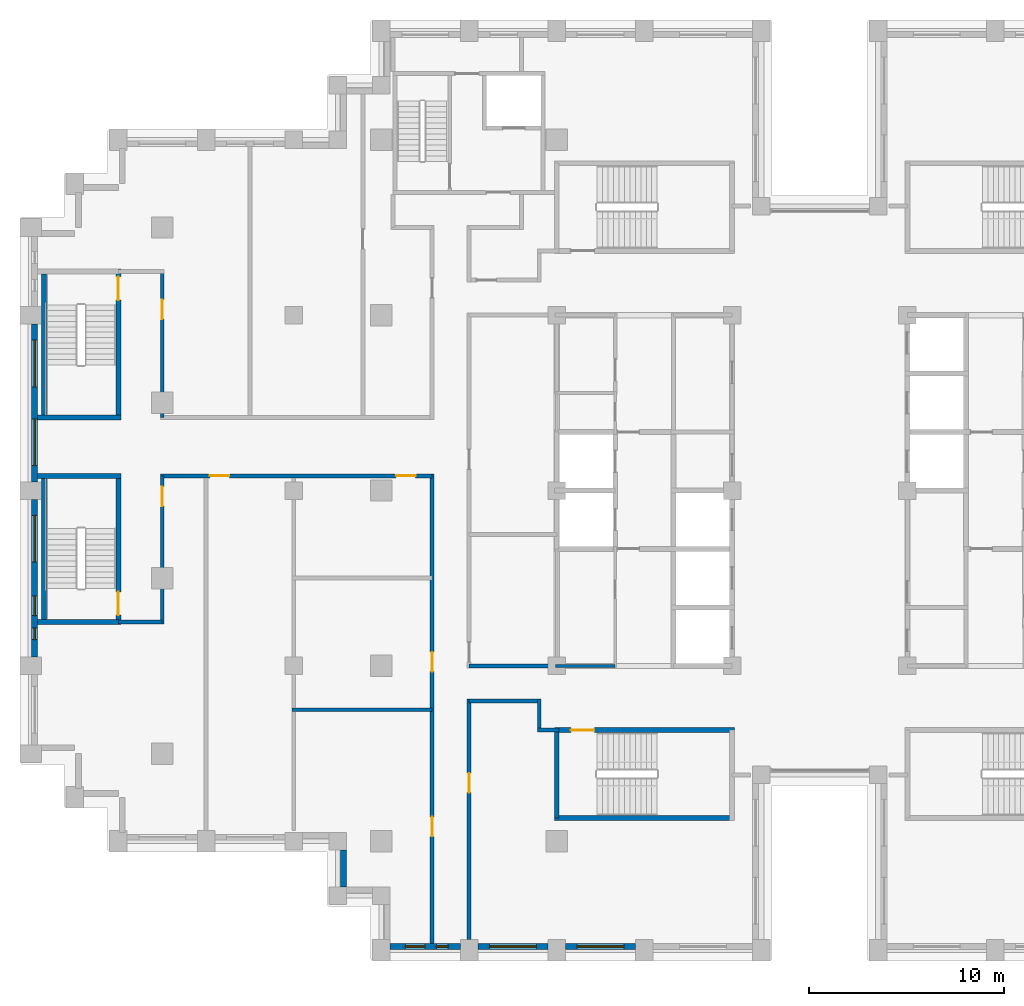
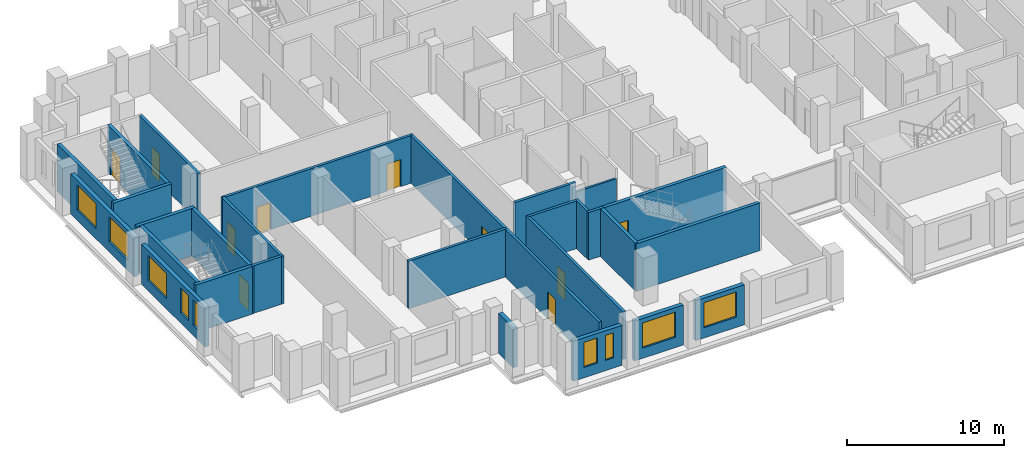
# One storey, part 6 of 16: 28 walls, 10 doors, 9 windows, 19 openings.
"""IFC4 building model written with IfcOpenShell, lengths in metres."""

from ifc_helpers import new_model, si_unit, direction, frame, frame_2d, origin, place, context, subcontext, project, spatial, rectangle, extrude, material, layer, layer_set, type_object, element, fill, save


model = new_model("IFC4")

# Units and contexts
model_context = context("Model", 3, precision=1e-05, world=origin(), true_north=direction((0.0, 1.0)))
body_context = subcontext(model_context, "Body", "Model", "MODEL_VIEW")
ifc_project = project(units=[si_unit("LENGTHUNIT", "METRE"), si_unit("AREAUNIT", "SQUARE_METRE"), si_unit("VOLUMEUNIT", "CUBIC_METRE"), si_unit("PLANEANGLEUNIT", "RADIAN"), si_unit("MASSUNIT", "GRAM", prefix="KILO")], contexts=[model_context])

# Site, building, storey
site_placement = place(None, origin())
site = spatial("IfcSite", under=ifc_project, at=site_placement, CompositionType="ELEMENT")
building_placement = place(site_placement, origin())
building = spatial("IfcBuilding", under=site, at=building_placement, Name="Corbelhall Arena Tower", CompositionType="ELEMENT")
storey_placement = place(building_placement, frame((0.0, 0.0, 158.0)))
storey = spatial("IfcBuildingStorey", under=building, at=storey_placement, Name="L31", CompositionType="ELEMENT", Elevation=158.0)

# Wall, openings, windows
ifc_material_1 = material(Name="Precast concrete C40/50 with granite facing", Category="masonry")
ifc_layer_1 = layer(ifc_material_1, 0.300048828125)
ifc_layer_set_1 = layer_set([ifc_layer_1], Name="EV-IW1 Infill panel 300")
wall_type_1 = type_object("IfcWallType", Name="EV-IW1 Infill panel 300", PredefinedType="SOLIDWALL", material=ifc_layer_set_1)
wall_1_placement = place(storey_placement, frame((-40.300048828125, 8.550048828125, 0.0), z_axis=(0.0, 0.0, 1.0), x_axis=(0.0, -1.0, 0.0)))
wall_1 = element("IfcWall", 1, at=wall_1_placement, inside=storey, type_object=wall_type_1, Name="Infill panel IW1", PredefinedType="SOLIDWALL", context=body_context, shape_type="SweptSolid", body=[
    extrude(rectangle(XDim=8.10009765625, YDim=0.300048828125, at=frame_2d((4.050048828125, 0.0))), origin(), (0.0, 0.0, 1.0), 3.10009765625),
])
opening_1_placement = place(wall_1_placement, frame((0.824951171875, 0.0, 0.800048828125)))
opening_1 = element("IfcOpeningElement", 2, at=opening_1_placement, cuts=wall_1, Name="Opening WN1", PredefinedType="OPENING", context=body_context, shape_type="SweptSolid", body=[
    extrude(rectangle(XDim=2.39990234375, YDim=1.949951171875, at=frame_2d((1.199951171875, 0.97509765625))), frame((0.0, 0.14990234375, 0.0), z_axis=(0.0, -1.0, 0.0), x_axis=(1.0, 0.0, 0.0)), (0.0, 0.0, 1.0), 0.300048828125),
])
opening_2_placement = place(wall_1_placement, frame((4.875, 0.0, 0.800048828125)))
opening_2 = element("IfcOpeningElement", 3, at=opening_2_placement, cuts=wall_1, Name="Opening WN1", PredefinedType="OPENING", context=body_context, shape_type="SweptSolid", body=[
    extrude(rectangle(XDim=2.39990234375, YDim=1.949951171875, at=frame_2d((1.199951171875, 0.97509765625))), frame((0.0, 0.14990234375, 0.0), z_axis=(0.0, -1.0, 0.0), x_axis=(1.0, 0.0, 0.0)), (0.0, 0.0, 1.0), 0.300048828125),
])
ifc_material_2 = material(Name="Aluminium black anodised", Category="aluminium")
window_type_1 = type_object("IfcWindowType", Name="EV-WN1 Office window", PartitioningType="SINGLE_PANEL", PredefinedType="WINDOW", material=ifc_material_2)
window_1_placement = place(opening_1_placement, origin())
window_1 = element("IfcWindow", 4, at=window_1_placement, inside=storey, type_object=window_type_1, Name="Window WN1", OverallHeight=1.949951171875, OverallWidth=2.39990234375, PartitioningType="SINGLE_PANEL", PredefinedType="WINDOW", context=body_context, shape_type="SweptSolid", body=[
    extrude(rectangle(XDim=2.39990234375, YDim=1.949951171875, at=frame_2d((1.199951171875, 0.97509765625))), frame((0.0, 0.030029296875, 0.0), z_axis=(0.0, -1.0, 0.0), x_axis=(1.0, 0.0, 0.0)), (0.0, 0.0, 1.0), 0.06005859375),
])
fill(opening_1, window_1)
window_2_placement = place(opening_2_placement, origin())
window_2 = element("IfcWindow", 5, at=window_2_placement, inside=storey, type_object=window_type_1, Name="Window WN1", OverallHeight=1.949951171875, OverallWidth=2.39990234375, PartitioningType="SINGLE_PANEL", PredefinedType="WINDOW", context=body_context, shape_type="SweptSolid", body=[
    extrude(rectangle(XDim=2.39990234375, YDim=1.949951171875, at=frame_2d((1.199951171875, 0.97509765625))), frame((0.0, 0.030029296875, 0.0), z_axis=(0.0, -1.0, 0.0), x_axis=(1.0, 0.0, 0.0)), (0.0, 0.0, 1.0), 0.06005859375),
])
fill(opening_2, window_2)

wall_2_placement = place(storey_placement, frame((-40.300048828125, -0.449951171875, 0.0), z_axis=(0.0, 0.0, 1.0), x_axis=(0.0, -1.0, 0.0)))
wall_2 = element("IfcWall", 6, at=wall_2_placement, inside=storey, type_object=wall_type_1, Name="Infill panel IW1", PredefinedType="SOLIDWALL", context=body_context, shape_type="SweptSolid", body=[
    extrude(rectangle(XDim=8.10009765625, YDim=0.300048828125, at=frame_2d((4.050048828125, 0.0))), origin(), (0.0, 0.0, 1.0), 3.10009765625),
])
opening_3_placement = place(wall_2_placement, frame((0.824951171875, 0.0, 0.800048828125)))
opening_3 = element("IfcOpeningElement", 7, at=opening_3_placement, cuts=wall_2, Name="Opening WN1", PredefinedType="OPENING", context=body_context, shape_type="SweptSolid", body=[
    extrude(rectangle(XDim=2.39990234375, YDim=1.949951171875, at=frame_2d((1.199951171875, 0.97509765625))), frame((0.0, 0.14990234375, 0.0), z_axis=(0.0, -1.0, 0.0), x_axis=(1.0, 0.0, 0.0)), (0.0, 0.0, 1.0), 0.300048828125),
])
opening_4_placement = place(wall_2_placement, frame((4.97509765625, 0.0, 0.800048828125)))
opening_4 = element("IfcOpeningElement", 8, at=opening_4_placement, cuts=wall_2, Name="Opening WN6", PredefinedType="OPENING", context=body_context, shape_type="SweptSolid", body=[
    extrude(rectangle(XDim=1.0, YDim=1.949951171875, at=frame_2d((0.5, 0.97509765625))), frame((0.0, 0.14990234375, 0.0), z_axis=(0.0, -1.0, 0.0), x_axis=(1.0, 0.0, 0.0)), (0.0, 0.0, 1.0), 0.300048828125),
])
opening_5_placement = place(wall_2_placement, frame((6.60009765625, 0.0, 0.800048828125)))
opening_5 = element("IfcOpeningElement", 9, at=opening_5_placement, cuts=wall_2, Name="Opening WN5", PredefinedType="OPENING", context=body_context, shape_type="SweptSolid", body=[
    extrude(rectangle(XDim=0.60009765625, YDim=1.949951171875, at=frame_2d((0.300048828125, 0.97509765625))), frame((0.0, 0.14990234375, 0.0), z_axis=(0.0, -1.0, 0.0), x_axis=(1.0, 0.0, 0.0)), (0.0, 0.0, 1.0), 0.300048828125),
])
window_3_placement = place(opening_3_placement, origin())
window_3 = element("IfcWindow", 10, at=window_3_placement, inside=storey, type_object=window_type_1, Name="Window WN1", OverallHeight=1.949951171875, OverallWidth=2.39990234375, PartitioningType="SINGLE_PANEL", PredefinedType="WINDOW", context=body_context, shape_type="SweptSolid", body=[
    extrude(rectangle(XDim=2.39990234375, YDim=1.949951171875, at=frame_2d((1.199951171875, 0.97509765625))), frame((0.0, 0.030029296875, 0.0), z_axis=(0.0, -1.0, 0.0), x_axis=(1.0, 0.0, 0.0)), (0.0, 0.0, 1.0), 0.06005859375),
])
fill(opening_3, window_3)
window_type_2 = type_object("IfcWindowType", Name="EV-WN5 Office window 600", PartitioningType="SINGLE_PANEL", PredefinedType="WINDOW", material=ifc_material_2)
window_4_placement = place(opening_5_placement, origin())
window_4 = element("IfcWindow", 11, at=window_4_placement, inside=storey, type_object=window_type_2, Name="Window WN5", OverallHeight=1.949951171875, OverallWidth=0.60009765625, PartitioningType="SINGLE_PANEL", PredefinedType="WINDOW", context=body_context, shape_type="SweptSolid", body=[
    extrude(rectangle(XDim=0.60009765625, YDim=1.949951171875, at=frame_2d((0.300048828125, 0.97509765625))), frame((0.0, 0.030029296875, 0.0), z_axis=(0.0, -1.0, 0.0), x_axis=(1.0, 0.0, 0.0)), (0.0, 0.0, 1.0), 0.06005859375),
])
fill(opening_5, window_4)
window_type_3 = type_object("IfcWindowType", Name="EV-WN6 Office window 1000", PartitioningType="SINGLE_PANEL", PredefinedType="WINDOW", material=ifc_material_2)
window_5_placement = place(opening_4_placement, origin())
window_5 = element("IfcWindow", 12, at=window_5_placement, inside=storey, type_object=window_type_3, Name="Window WN6", OverallHeight=1.949951171875, OverallWidth=1.0, PartitioningType="SINGLE_PANEL", PredefinedType="WINDOW", context=body_context, shape_type="SweptSolid", body=[
    extrude(rectangle(XDim=1.0, YDim=1.949951171875, at=frame_2d((0.5, 0.97509765625))), frame((0.0, 0.030029296875, 0.0), z_axis=(0.0, -1.0, 0.0), x_axis=(1.0, 0.0, 0.0)), (0.0, 0.0, 1.0), 0.06005859375),
])
fill(opening_4, window_5)

# Wall
wall_3_placement = place(storey_placement, frame((-24.449951171875, -18.449951171875, 0.0), z_axis=(0.0, 0.0, 1.0), x_axis=(0.0, -1.0, 0.0)))
element("IfcWall", 13, at=wall_3_placement, inside=storey, type_object=wall_type_1, Name="Infill panel IW1", PredefinedType="SOLIDWALL", context=body_context, shape_type="SweptSolid", body=[
    extrude(rectangle(XDim=1.900146484375, YDim=0.300048828125, at=frame_2d((0.9501953125, 0.0))), origin(), (0.0, 0.0, 1.0), 3.10009765625),
])

# Wall, openings, windows
wall_4_placement = place(storey_placement, frame((-22.050048828125, -23.39990234375, 0.0), z_axis=(0.0, 0.0, 1.0), x_axis=(1.0, 0.0, 0.0)))
wall_4 = element("IfcWall", 14, at=wall_4_placement, inside=storey, type_object=wall_type_1, Name="Infill panel IW1", PredefinedType="SOLIDWALL", context=body_context, shape_type="SweptSolid", body=[
    extrude(rectangle(XDim=3.60009765625, YDim=0.300048828125, at=frame_2d((1.800048828125, 0.0))), origin(), (0.0, 0.0, 1.0), 3.10009765625),
])
opening_6_placement = place(wall_4_placement, frame((0.77490234375, 0.0, 0.800048828125)))
opening_6 = element("IfcOpeningElement", 15, at=opening_6_placement, cuts=wall_4, Name="Opening WN6", PredefinedType="OPENING", context=body_context, shape_type="SweptSolid", body=[
    extrude(rectangle(XDim=1.0, YDim=1.949951171875, at=frame_2d((0.5, 0.97509765625))), frame((0.0, 0.14990234375, 0.0), z_axis=(0.0, -1.0, 0.0), x_axis=(1.0, 0.0, 0.0)), (0.0, 0.0, 1.0), 0.300048828125),
])
opening_7_placement = place(wall_4_placement, frame((2.375, 0.0, 0.800048828125)))
opening_7 = element("IfcOpeningElement", 16, at=opening_7_placement, cuts=wall_4, Name="Opening WN5", PredefinedType="OPENING", context=body_context, shape_type="SweptSolid", body=[
    extrude(rectangle(XDim=0.60009765625, YDim=1.949951171875, at=frame_2d((0.300048828125, 0.97509765625))), frame((0.0, 0.14990234375, 0.0), z_axis=(0.0, -1.0, 0.0), x_axis=(1.0, 0.0, 0.0)), (0.0, 0.0, 1.0), 0.300048828125),
])
window_6_placement = place(opening_7_placement, origin())
window_6 = element("IfcWindow", 17, at=window_6_placement, inside=storey, type_object=window_type_2, Name="Window WN5", OverallHeight=1.949951171875, OverallWidth=0.60009765625, PartitioningType="SINGLE_PANEL", PredefinedType="WINDOW", context=body_context, shape_type="SweptSolid", body=[
    extrude(rectangle(XDim=0.60009765625, YDim=1.949951171875, at=frame_2d((0.300048828125, 0.97509765625))), frame((0.0, 0.030029296875, 0.0), z_axis=(0.0, -1.0, 0.0), x_axis=(1.0, 0.0, 0.0)), (0.0, 0.0, 1.0), 0.06005859375),
])
fill(opening_7, window_6)
window_7_placement = place(opening_6_placement, origin())
window_7 = element("IfcWindow", 18, at=window_7_placement, inside=storey, type_object=window_type_3, Name="Window WN6", OverallHeight=1.949951171875, OverallWidth=1.0, PartitioningType="SINGLE_PANEL", PredefinedType="WINDOW", context=body_context, shape_type="SweptSolid", body=[
    extrude(rectangle(XDim=1.0, YDim=1.949951171875, at=frame_2d((0.5, 0.97509765625))), frame((0.0, 0.030029296875, 0.0), z_axis=(0.0, -1.0, 0.0), x_axis=(1.0, 0.0, 0.0)), (0.0, 0.0, 1.0), 0.06005859375),
])
fill(opening_6, window_7)

# Wall, opening, window
wall_5_placement = place(storey_placement, frame((-17.550048828125, -23.39990234375, 0.0), z_axis=(0.0, 0.0, 1.0), x_axis=(1.0, 0.0, 0.0)))
wall_5 = element("IfcWall", 19, at=wall_5_placement, inside=storey, type_object=wall_type_1, Name="Infill panel IW1", PredefinedType="SOLIDWALL", context=body_context, shape_type="SweptSolid", body=[
    extrude(rectangle(XDim=3.60009765625, YDim=0.300048828125, at=frame_2d((1.800048828125, 0.0))), origin(), (0.0, 0.0, 1.0), 3.10009765625),
])
opening_8_placement = place(wall_5_placement, frame((0.60009765625, 0.0, 0.800048828125)))
opening_8 = element("IfcOpeningElement", 20, at=opening_8_placement, cuts=wall_5, Name="Opening WN1", PredefinedType="OPENING", context=body_context, shape_type="SweptSolid", body=[
    extrude(rectangle(XDim=2.39990234375, YDim=1.949951171875, at=frame_2d((1.199951171875, 0.97509765625))), frame((0.0, 0.14990234375, 0.0), z_axis=(0.0, -1.0, 0.0), x_axis=(1.0, 0.0, 0.0)), (0.0, 0.0, 1.0), 0.300048828125),
])
window_8_placement = place(opening_8_placement, origin())
window_8 = element("IfcWindow", 21, at=window_8_placement, inside=storey, type_object=window_type_1, Name="Window WN1", OverallHeight=1.949951171875, OverallWidth=2.39990234375, PartitioningType="SINGLE_PANEL", PredefinedType="WINDOW", context=body_context, shape_type="SweptSolid", body=[
    extrude(rectangle(XDim=2.39990234375, YDim=1.949951171875, at=frame_2d((1.199951171875, 0.97509765625))), frame((0.0, 0.030029296875, 0.0), z_axis=(0.0, -1.0, 0.0), x_axis=(1.0, 0.0, 0.0)), (0.0, 0.0, 1.0), 0.06005859375),
])
fill(opening_8, window_8)

wall_6_placement = place(storey_placement, frame((-13.050048828125, -23.39990234375, 0.0), z_axis=(0.0, 0.0, 1.0), x_axis=(1.0, 0.0, 0.0)))
wall_6 = element("IfcWall", 22, at=wall_6_placement, inside=storey, type_object=wall_type_1, Name="Infill panel IW1", PredefinedType="SOLIDWALL", context=body_context, shape_type="SweptSolid", body=[
    extrude(rectangle(XDim=3.60009765625, YDim=0.300048828125, at=frame_2d((1.800048828125, 0.0))), origin(), (0.0, 0.0, 1.0), 3.10009765625),
])
opening_9_placement = place(wall_6_placement, frame((0.60009765625, 0.0, 0.800048828125)))
opening_9 = element("IfcOpeningElement", 23, at=opening_9_placement, cuts=wall_6, Name="Opening WN1", PredefinedType="OPENING", context=body_context, shape_type="SweptSolid", body=[
    extrude(rectangle(XDim=2.39990234375, YDim=1.949951171875, at=frame_2d((1.199951171875, 0.97509765625))), frame((0.0, 0.14990234375, 0.0), z_axis=(0.0, -1.0, 0.0), x_axis=(1.0, 0.0, 0.0)), (0.0, 0.0, 1.0), 0.300048828125),
])
window_9_placement = place(opening_9_placement, origin())
window_9 = element("IfcWindow", 24, at=window_9_placement, inside=storey, type_object=window_type_1, Name="Window WN1", OverallHeight=1.949951171875, OverallWidth=2.39990234375, PartitioningType="SINGLE_PANEL", PredefinedType="WINDOW", context=body_context, shape_type="SweptSolid", body=[
    extrude(rectangle(XDim=2.39990234375, YDim=1.949951171875, at=frame_2d((1.199951171875, 0.97509765625))), frame((0.0, 0.030029296875, 0.0), z_axis=(0.0, -1.0, 0.0), x_axis=(1.0, 0.0, 0.0)), (0.0, 0.0, 1.0), 0.06005859375),
])
fill(opening_9, window_9)

# Wall
ifc_material_3 = material(Name="Gypsum board on steel stud, acoustic", Category="steel")
ifc_layer_2 = layer(ifc_material_3, 0.199951171875)
ifc_layer_set_2 = layer_set([ifc_layer_2], Name="IN-W-DM200")
wall_type_2 = type_object("IfcWallType", Name="IN-W-DM200", PredefinedType="PARTITIONING", material=ifc_layer_set_2)
wall_7_placement = place(storey_placement, frame((-33.75, -6.75, 0.0), z_axis=(0.0, 0.0, 1.0), x_axis=(-1.0, 0.0, 0.0)))
element("IfcWall", 25, at=wall_7_placement, inside=storey, type_object=wall_type_2, Name="Partition 003", PredefinedType="PARTITIONING", context=body_context, shape_type="SweptSolid", body=[
    extrude(rectangle(XDim=2.25, YDim=0.199951171875, at=frame_2d((1.125, 0.0))), origin(), (0.0, 0.0, 1.0), 3.699951171875),
])

# Wall, opening, door
wall_8_placement = place(storey_placement, frame((-33.75, 0.75, 0.0), z_axis=(0.0, 0.0, 1.0), x_axis=(0.0, -1.0, 0.0)))
wall_8 = element("IfcWall", 26, at=wall_8_placement, inside=storey, type_object=wall_type_2, Name="Partition 004", PredefinedType="PARTITIONING", context=body_context, shape_type="SweptSolid", body=[
    extrude(rectangle(XDim=7.60009765625, YDim=0.199951171875, at=frame_2d((3.800048828125, 0.0))), origin(), (0.0, 0.0, 1.0), 3.699951171875),
])
opening_10_placement = place(wall_8_placement, frame((0.550048828125, 0.0, 0.0)))
opening_10 = element("IfcOpeningElement", 27, at=opening_10_placement, cuts=wall_8, Name="Opening 08043", PredefinedType="OPENING", context=body_context, shape_type="SweptSolid", body=[
    extrude(rectangle(XDim=1.0, YDim=2.10009765625, at=frame_2d((0.5, 1.050048828125))), frame((0.0, 0.10009765625, 0.0), z_axis=(0.0, -1.0, 0.0), x_axis=(1.0, 0.0, 0.0)), (0.0, 0.0, 1.0), 0.199951171875),
])
ifc_material_4 = material(Name="Steel door set", Category="steel")
door_type_1 = type_object("IfcDoorType", Name="IN-D-SW100", OperationType="NOTDEFINED", PredefinedType="DOOR", material=ifc_material_4)
door_1_placement = place(opening_10_placement, origin())
door_1 = element("IfcDoor", 28, at=door_1_placement, inside=storey, type_object=door_type_1, Name="Door 043", OperationType="SINGLE_SWING_RIGHT", OverallHeight=2.10009765625, OverallWidth=1.0, PredefinedType="DOOR", context=body_context, shape_type="SweptSolid", body=[
    extrude(rectangle(XDim=1.0, YDim=2.10009765625, at=frame_2d((0.5, 1.050048828125))), frame((0.0, 0.02490234375, 0.0), z_axis=(0.0, -1.0, 0.0), x_axis=(1.0, 0.0, 0.0)), (0.0, 0.0, 1.0), 0.050048828125),
])
fill(opening_10, door_1)

wall_9_placement = place(storey_placement, frame((-33.75, 11.25, 0.0), z_axis=(0.0, 0.0, 1.0), x_axis=(0.0, -1.0, 0.0)))
wall_9 = element("IfcWall", 29, at=wall_9_placement, inside=storey, type_object=wall_type_2, Name="Partition 005", PredefinedType="PARTITIONING", context=body_context, shape_type="SweptSolid", body=[
    extrude(rectangle(XDim=7.5, YDim=0.199951171875, at=frame_2d((3.75, 0.0))), origin(), (0.0, 0.0, 1.0), 3.699951171875),
])
opening_11_placement = place(wall_9_placement, frame((1.449951171875, 0.0, 0.0)))
opening_11 = element("IfcOpeningElement", 30, at=opening_11_placement, cuts=wall_9, Name="Opening 08042", PredefinedType="OPENING", context=body_context, shape_type="SweptSolid", body=[
    extrude(rectangle(XDim=1.0, YDim=2.10009765625, at=frame_2d((0.5, 1.050048828125))), frame((0.0, 0.10009765625, 0.0), z_axis=(0.0, -1.0, 0.0), x_axis=(1.0, 0.0, 0.0)), (0.0, 0.0, 1.0), 0.199951171875),
])
door_2_placement = place(opening_11_placement, origin())
door_2 = element("IfcDoor", 31, at=door_2_placement, inside=storey, type_object=door_type_1, Name="Door 042", OperationType="SINGLE_SWING_LEFT", OverallHeight=2.10009765625, OverallWidth=1.0, PredefinedType="DOOR", context=body_context, shape_type="SweptSolid", body=[
    extrude(rectangle(XDim=1.0, YDim=2.10009765625, at=frame_2d((0.5, 1.050048828125))), frame((0.0, 0.02490234375, 0.0), z_axis=(0.0, -1.0, 0.0), x_axis=(1.0, 0.0, 0.0)), (0.0, 0.0, 1.0), 0.050048828125),
])
fill(opening_11, door_2)

# Wall, openings, doors
wall_10_placement = place(storey_placement, frame((-19.89990234375, 0.75, 0.0), z_axis=(0.0, 0.0, 1.0), x_axis=(-1.0, 0.0, 0.0)))
wall_10 = element("IfcWall", 32, at=wall_10_placement, inside=storey, type_object=wall_type_2, Name="Partition 007", PredefinedType="PARTITIONING", context=body_context, shape_type="SweptSolid", body=[
    extrude(rectangle(XDim=13.9501953125, YDim=0.199951171875, at=frame_2d((6.97509765625, 0.0))), origin(), (0.0, 0.0, 1.0), 3.699951171875),
])
opening_12_placement = place(wall_10_placement, frame((0.85009765625, 0.0, 0.0)))
opening_12 = element("IfcOpeningElement", 33, at=opening_12_placement, cuts=wall_10, Name="Opening 08035", PredefinedType="OPENING", context=body_context, shape_type="SweptSolid", body=[
    extrude(rectangle(XDim=1.0, YDim=2.10009765625, at=frame_2d((0.5, 1.050048828125))), frame((0.0, 0.10009765625, 0.0), z_axis=(0.0, -1.0, 0.0), x_axis=(1.0, 0.0, 0.0)), (0.0, 0.0, 1.0), 0.199951171875),
])
opening_13_placement = place(wall_10_placement, frame((10.39990234375, 0.0, 0.0)))
opening_13 = element("IfcOpeningElement", 34, at=opening_13_placement, cuts=wall_10, Name="Opening 08044", PredefinedType="OPENING", context=body_context, shape_type="SweptSolid", body=[
    extrude(rectangle(XDim=1.0, YDim=2.10009765625, at=frame_2d((0.5, 1.050048828125))), frame((0.0, 0.10009765625, 0.0), z_axis=(0.0, -1.0, 0.0), x_axis=(1.0, 0.0, 0.0)), (0.0, 0.0, 1.0), 0.199951171875),
])
door_3_placement = place(opening_12_placement, origin())
door_3 = element("IfcDoor", 35, at=door_3_placement, inside=storey, type_object=door_type_1, Name="Door 035", OperationType="SINGLE_SWING_RIGHT", OverallHeight=2.10009765625, OverallWidth=1.0, PredefinedType="DOOR", context=body_context, shape_type="SweptSolid", body=[
    extrude(rectangle(XDim=1.0, YDim=2.10009765625, at=frame_2d((0.5, 1.050048828125))), frame((0.0, 0.02490234375, 0.0), z_axis=(0.0, -1.0, 0.0), x_axis=(1.0, 0.0, 0.0)), (0.0, 0.0, 1.0), 0.050048828125),
])
fill(opening_12, door_3)
door_4_placement = place(opening_13_placement, origin())
door_4 = element("IfcDoor", 36, at=door_4_placement, inside=storey, type_object=door_type_1, Name="Door 044", OperationType="SINGLE_SWING_LEFT", OverallHeight=2.10009765625, OverallWidth=1.0, PredefinedType="DOOR", context=body_context, shape_type="SweptSolid", body=[
    extrude(rectangle(XDim=1.0, YDim=2.10009765625, at=frame_2d((0.5, 1.050048828125))), frame((0.0, 0.02490234375, 0.0), z_axis=(0.0, -1.0, 0.0), x_axis=(1.0, 0.0, 0.0)), (0.0, 0.0, 1.0), 0.050048828125),
])
fill(opening_13, door_4)

# Wall
wall_11_placement = place(storey_placement, frame((-27.10009765625, -11.25, 0.0), z_axis=(0.0, 0.0, 1.0), x_axis=(1.0, 0.0, 0.0)))
element("IfcWall", 37, at=wall_11_placement, inside=storey, type_object=wall_type_2, Name="Partition 009", PredefinedType="PARTITIONING", context=body_context, shape_type="SweptSolid", body=[
    extrude(rectangle(XDim=7.2001953125, YDim=0.199951171875, at=frame_2d((3.60009765625, 0.0))), origin(), (0.0, 0.0, 1.0), 3.699951171875),
])

# Wall, openings, doors
wall_12_placement = place(storey_placement, frame((-19.89990234375, -23.25, 0.0), z_axis=(0.0, 0.0, 1.0), x_axis=(0.0, 1.0, 0.0)))
wall_12 = element("IfcWall", 38, at=wall_12_placement, inside=storey, type_object=wall_type_2, Name="Partition 015", PredefinedType="PARTITIONING", context=body_context, shape_type="SweptSolid", body=[
    extrude(rectangle(XDim=24.10009765625, YDim=0.199951171875, at=frame_2d((12.050048828125, 0.0))), origin(), (0.0, 0.0, 1.0), 3.699951171875),
])
opening_14_placement = place(wall_12_placement, frame((5.5, 0.0, 0.0)))
opening_14 = element("IfcOpeningElement", 39, at=opening_14_placement, cuts=wall_12, Name="Opening 08033", PredefinedType="OPENING", context=body_context, shape_type="SweptSolid", body=[
    extrude(rectangle(XDim=1.0, YDim=2.10009765625, at=frame_2d((0.5, 1.050048828125))), frame((0.0, 0.10009765625, 0.0), z_axis=(0.0, -1.0, 0.0), x_axis=(1.0, 0.0, 0.0)), (0.0, 0.0, 1.0), 0.199951171875),
])
opening_15_placement = place(wall_12_placement, frame((13.949951171875, 0.0, 0.0)))
opening_15 = element("IfcOpeningElement", 40, at=opening_15_placement, cuts=wall_12, Name="Opening 08034", PredefinedType="OPENING", context=body_context, shape_type="SweptSolid", body=[
    extrude(rectangle(XDim=1.0, YDim=2.10009765625, at=frame_2d((0.5, 1.050048828125))), frame((0.0, 0.10009765625, 0.0), z_axis=(0.0, -1.0, 0.0), x_axis=(1.0, 0.0, 0.0)), (0.0, 0.0, 1.0), 0.199951171875),
])
door_5_placement = place(opening_14_placement, origin())
door_5 = element("IfcDoor", 41, at=door_5_placement, inside=storey, type_object=door_type_1, Name="Door 033", OperationType="SINGLE_SWING_RIGHT", OverallHeight=2.10009765625, OverallWidth=1.0, PredefinedType="DOOR", context=body_context, shape_type="SweptSolid", body=[
    extrude(rectangle(XDim=1.0, YDim=2.10009765625, at=frame_2d((0.5, 1.050048828125))), frame((0.0, 0.02490234375, 0.0), z_axis=(0.0, -1.0, 0.0), x_axis=(1.0, 0.0, 0.0)), (0.0, 0.0, 1.0), 0.050048828125),
])
fill(opening_14, door_5)
door_6_placement = place(opening_15_placement, origin())
door_6 = element("IfcDoor", 42, at=door_6_placement, inside=storey, type_object=door_type_1, Name="Door 034", OperationType="SINGLE_SWING_LEFT", OverallHeight=2.10009765625, OverallWidth=1.0, PredefinedType="DOOR", context=body_context, shape_type="SweptSolid", body=[
    extrude(rectangle(XDim=1.0, YDim=2.10009765625, at=frame_2d((0.5, 1.050048828125))), frame((0.0, 0.02490234375, 0.0), z_axis=(0.0, -1.0, 0.0), x_axis=(1.0, 0.0, 0.0)), (0.0, 0.0, 1.0), 0.050048828125),
])
fill(opening_15, door_6)

# Wall, opening, door
wall_13_placement = place(storey_placement, frame((-18.0, -10.699951171875, 0.0), z_axis=(0.0, 0.0, 1.0), x_axis=(0.0, -1.0, 0.0)))
wall_13 = element("IfcWall", 43, at=wall_13_placement, inside=storey, type_object=wall_type_2, Name="Partition 018", PredefinedType="PARTITIONING", context=body_context, shape_type="SweptSolid", body=[
    extrude(rectangle(XDim=12.35009765625, YDim=0.199951171875, at=frame_2d((6.175048828125, 0.0))), origin(), (0.0, 0.0, 1.0), 3.699951171875),
])
opening_16_placement = place(wall_13_placement, frame((3.800048828125, 0.0, 0.0)))
opening_16 = element("IfcOpeningElement", 44, at=opening_16_placement, cuts=wall_13, Name="Opening 08029", PredefinedType="OPENING", context=body_context, shape_type="SweptSolid", body=[
    extrude(rectangle(XDim=1.0, YDim=2.10009765625, at=frame_2d((0.5, 1.050048828125))), frame((0.0, 0.10009765625, 0.0), z_axis=(0.0, -1.0, 0.0), x_axis=(1.0, 0.0, 0.0)), (0.0, 0.0, 1.0), 0.199951171875),
])
door_7_placement = place(opening_16_placement, origin())
door_7 = element("IfcDoor", 45, at=door_7_placement, inside=storey, type_object=door_type_1, Name="Door 029", OperationType="SINGLE_SWING_RIGHT", OverallHeight=2.10009765625, OverallWidth=1.0, PredefinedType="DOOR", context=body_context, shape_type="SweptSolid", body=[
    extrude(rectangle(XDim=1.0, YDim=2.10009765625, at=frame_2d((0.5, 1.050048828125))), frame((0.0, 0.02490234375, 0.0), z_axis=(0.0, -1.0, 0.0), x_axis=(1.0, 0.0, 0.0)), (0.0, 0.0, 1.0), 0.050048828125),
])
fill(opening_16, door_7)

# Walls
wall_14_placement = place(storey_placement, frame((-18.0, -9.0, 0.0), z_axis=(0.0, 0.0, 1.0), x_axis=(1.0, 0.0, 0.0)))
element("IfcWall", 46, at=wall_14_placement, inside=storey, type_object=wall_type_2, Name="Partition 019", PredefinedType="PARTITIONING", context=body_context, shape_type="SweptSolid", body=[
    extrude(rectangle(XDim=4.5, YDim=0.199951171875, at=frame_2d((2.25, 0.0))), origin(), (0.0, 0.0, 1.0), 3.699951171875),
])
wall_15_placement = place(storey_placement, frame((-14.39990234375, -12.300048828125, 0.0), z_axis=(0.0, 0.0, 1.0), x_axis=(0.0, 1.0, 0.0)))
element("IfcWall", 47, at=wall_15_placement, inside=storey, type_object=wall_type_2, Name="Partition 028", PredefinedType="PARTITIONING", context=body_context, shape_type="SweptSolid", body=[
    extrude(rectangle(XDim=1.60009765625, YDim=0.199951171875, at=frame_2d((0.800048828125, 0.0))), origin(), (0.0, 0.0, 1.0), 3.699951171875),
])
wall_16_placement = place(storey_placement, frame((-14.39990234375, -10.800048828125, 0.0), z_axis=(0.0, 0.0, 1.0), x_axis=(-1.0, 0.0, 0.0)))
element("IfcWall", 48, at=wall_16_placement, inside=storey, type_object=wall_type_2, Name="Partition 029", PredefinedType="PARTITIONING", context=body_context, shape_type="SweptSolid", body=[
    extrude(rectangle(XDim=3.60009765625, YDim=0.199951171875, at=frame_2d((1.800048828125, 0.0))), origin(), (0.0, 0.0, 1.0), 3.699951171875),
])
wall_17_placement = place(storey_placement, frame((-13.375, -12.300048828125, 0.0), z_axis=(0.0, 0.0, 1.0), x_axis=(-1.0, 0.0, 0.0)))
element("IfcWall", 49, at=wall_17_placement, inside=storey, type_object=wall_type_2, Name="Partition 032", PredefinedType="PARTITIONING", context=body_context, shape_type="SweptSolid", body=[
    extrude(rectangle(XDim=1.125, YDim=0.199951171875, at=frame_2d((0.5625, 0.0))), origin(), (0.0, 0.0, 1.0), 3.699951171875),
])
ifc_material_5 = material(Name="Concrete C40/50", Category="concrete")
ifc_layer_3 = layer(ifc_material_5, 0.25)
ifc_layer_set_3 = layer_set([ifc_layer_3], Name="IN-W-ST250")
wall_type_3 = type_object("IfcWallType", Name="IN-W-ST250", PredefinedType="SOLIDWALL", material=ifc_layer_set_3)
wall_18_placement = place(storey_placement, frame((-40.14990234375, 3.75, 0.0), z_axis=(0.0, 0.0, 1.0), x_axis=(1.0, 0.0, 0.0)))
element("IfcWall", 50, at=wall_18_placement, inside=storey, type_object=wall_type_3, Name="Shaft wall 101", PredefinedType="SOLIDWALL", context=body_context, shape_type="SweptSolid", body=[
    extrude(rectangle(XDim=4.27490234375, YDim=0.25, at=frame_2d((2.137451171875, 0.0))), origin(), (0.0, 0.0, 1.0), 3.699951171875),
])
wall_19_placement = place(storey_placement, frame((-36.0, -6.75, 0.0), z_axis=(0.0, 0.0, 1.0), x_axis=(-1.0, 0.0, 0.0)))
element("IfcWall", 51, at=wall_19_placement, inside=storey, type_object=wall_type_3, Name="Shaft wall 103", PredefinedType="SOLIDWALL", context=body_context, shape_type="SweptSolid", body=[
    extrude(rectangle(XDim=4.14990234375, YDim=0.25, at=frame_2d((2.074951171875, 0.0))), origin(), (0.0, 0.0, 1.0), 3.699951171875),
])

# Wall, opening, door
wall_20_placement = place(storey_placement, frame((-36.0, 0.75, 0.0), z_axis=(0.0, 0.0, 1.0), x_axis=(0.0, -1.0, 0.0)))
wall_20 = element("IfcWall", 52, at=wall_20_placement, inside=storey, type_object=wall_type_3, Name="Shaft wall 104", PredefinedType="SOLIDWALL", context=body_context, shape_type="SweptSolid", body=[
    extrude(rectangle(XDim=7.625, YDim=0.25, at=frame_2d((3.8125, 0.0))), origin(), (0.0, 0.0, 1.0), 3.699951171875),
])
opening_17_placement = place(wall_20_placement, frame((5.949951171875, 0.0, 0.0)))
opening_17 = element("IfcOpeningElement", 53, at=opening_17_placement, cuts=wall_20, Name="Opening 08020", PredefinedType="OPENING", context=body_context, shape_type="SweptSolid", body=[
    extrude(rectangle(XDim=1.199951171875, YDim=2.10009765625, at=frame_2d((0.60009765625, 1.050048828125))), frame((0.0, 0.125, 0.0), z_axis=(0.0, -1.0, 0.0), x_axis=(1.0, 0.0, 0.0)), (0.0, 0.0, 1.0), 0.25),
])
door_type_2 = type_object("IfcDoorType", Name="IN-D-ST120", OperationType="NOTDEFINED", PredefinedType="DOOR", material=ifc_material_4)
door_8_placement = place(opening_17_placement, origin())
door_8 = element("IfcDoor", 54, at=door_8_placement, inside=storey, type_object=door_type_2, Name="Door 020", OperationType="SINGLE_SWING_LEFT", OverallHeight=2.10009765625, OverallWidth=1.199951171875, PredefinedType="DOOR", context=body_context, shape_type="SweptSolid", body=[
    extrude(rectangle(XDim=1.199951171875, YDim=2.10009765625, at=frame_2d((0.60009765625, 1.050048828125))), frame((0.0, 0.02490234375, 0.0), z_axis=(0.0, -1.0, 0.0), x_axis=(1.0, 0.0, 0.0)), (0.0, 0.0, 1.0), 0.050048828125),
])
fill(opening_17, door_8)

wall_21_placement = place(storey_placement, frame((-36.0, 11.375, 0.0), z_axis=(0.0, 0.0, 1.0), x_axis=(0.0, -1.0, 0.0)))
wall_21 = element("IfcWall", 55, at=wall_21_placement, inside=storey, type_object=wall_type_3, Name="Shaft wall 105", PredefinedType="SOLIDWALL", context=body_context, shape_type="SweptSolid", body=[
    extrude(rectangle(XDim=7.625, YDim=0.25, at=frame_2d((3.8125, 0.0))), origin(), (0.0, 0.0, 1.0), 3.699951171875),
])
opening_18_placement = place(wall_21_placement, frame((0.39990234375, 0.0, 0.0)))
opening_18 = element("IfcOpeningElement", 56, at=opening_18_placement, cuts=wall_21, Name="Opening 08019", PredefinedType="OPENING", context=body_context, shape_type="SweptSolid", body=[
    extrude(rectangle(XDim=1.199951171875, YDim=2.10009765625, at=frame_2d((0.60009765625, 1.050048828125))), frame((0.0, 0.125, 0.0), z_axis=(0.0, -1.0, 0.0), x_axis=(1.0, 0.0, 0.0)), (0.0, 0.0, 1.0), 0.25),
])
door_9_placement = place(opening_18_placement, origin())
door_9 = element("IfcDoor", 57, at=door_9_placement, inside=storey, type_object=door_type_2, Name="Door 019", OperationType="SINGLE_SWING_RIGHT", OverallHeight=2.10009765625, OverallWidth=1.199951171875, PredefinedType="DOOR", context=body_context, shape_type="SweptSolid", body=[
    extrude(rectangle(XDim=1.199951171875, YDim=2.10009765625, at=frame_2d((0.60009765625, 1.050048828125))), frame((0.0, 0.02490234375, 0.0), z_axis=(0.0, -1.0, 0.0), x_axis=(1.0, 0.0, 0.0)), (0.0, 0.0, 1.0), 0.050048828125),
])
fill(opening_18, door_9)

# Walls
wall_22_placement = place(storey_placement, frame((-35.875, 0.75, 0.0), z_axis=(0.0, 0.0, 1.0), x_axis=(-1.0, 0.0, 0.0)))
element("IfcWall", 58, at=wall_22_placement, inside=storey, type_object=wall_type_3, Name="Shaft wall 106", PredefinedType="SOLIDWALL", context=body_context, shape_type="SweptSolid", body=[
    extrude(rectangle(XDim=4.27490234375, YDim=0.25, at=frame_2d((2.137451171875, 0.0))), origin(), (0.0, 0.0, 1.0), 3.699951171875),
])
wall_23_placement = place(storey_placement, frame((-13.5, -16.800048828125, 0.0), z_axis=(0.0, 0.0, 1.0), x_axis=(0.0, 1.0, 0.0)))
element("IfcWall", 59, at=wall_23_placement, inside=storey, type_object=wall_type_3, Name="Shaft wall 109", PredefinedType="SOLIDWALL", context=body_context, shape_type="SweptSolid", body=[
    extrude(rectangle(XDim=4.5, YDim=0.25, at=frame_2d((2.25, 0.0))), origin(), (0.0, 0.0, 1.0), 3.699951171875),
])
wall_24_placement = place(storey_placement, frame((-4.5, -16.800048828125, 0.0), z_axis=(0.0, 0.0, 1.0), x_axis=(-1.0, 0.0, 0.0)))
element("IfcWall", 60, at=wall_24_placement, inside=storey, type_object=wall_type_3, Name="Shaft wall 111", PredefinedType="SOLIDWALL", context=body_context, shape_type="SweptSolid", body=[
    extrude(rectangle(XDim=9.125, YDim=0.25, at=frame_2d((4.5625, 0.0))), origin(), (0.0, 0.0, 1.0), 3.699951171875),
])

# Wall, opening, door
wall_25_placement = place(storey_placement, frame((-4.375, -12.300048828125, 0.0), z_axis=(0.0, 0.0, 1.0), x_axis=(-1.0, 0.0, 0.0)))
wall_25 = element("IfcWall", 61, at=wall_25_placement, inside=storey, type_object=wall_type_3, Name="Shaft wall 114", PredefinedType="SOLIDWALL", context=body_context, shape_type="SweptSolid", body=[
    extrude(rectangle(XDim=9.25, YDim=0.25, at=frame_2d((4.625, 0.0))), origin(), (0.0, 0.0, 1.0), 3.699951171875),
])
opening_19_placement = place(wall_25_placement, frame((7.199951171875, 0.0, 0.0)))
opening_19 = element("IfcOpeningElement", 62, at=opening_19_placement, cuts=wall_25, Name="Opening 08016", PredefinedType="OPENING", context=body_context, shape_type="SweptSolid", body=[
    extrude(rectangle(XDim=1.199951171875, YDim=2.10009765625, at=frame_2d((0.60009765625, 1.050048828125))), frame((0.0, 0.125, 0.0), z_axis=(0.0, -1.0, 0.0), x_axis=(1.0, 0.0, 0.0)), (0.0, 0.0, 1.0), 0.25),
])
door_10_placement = place(opening_19_placement, origin())
door_10 = element("IfcDoor", 63, at=door_10_placement, inside=storey, type_object=door_type_2, Name="Door 016", OperationType="SINGLE_SWING_LEFT", OverallHeight=2.10009765625, OverallWidth=1.199951171875, PredefinedType="DOOR", context=body_context, shape_type="SweptSolid", body=[
    extrude(rectangle(XDim=1.199951171875, YDim=2.10009765625, at=frame_2d((0.60009765625, 1.050048828125))), frame((0.0, 0.02490234375, 0.0), z_axis=(0.0, -1.0, 0.0), x_axis=(1.0, 0.0, 0.0)), (0.0, 0.0, 1.0), 0.050048828125),
])
fill(opening_19, door_10)

# Walls
for number, where, z_axis, x_axis, name in (
    (64, (-39.824951171875, 3.875, 0.0), (0.0, 0.0, 1.0), (0.0, 1.0, 0.0), "Shaft wall SC1 facade side"),
    (65, (-39.824951171875, -6.625, 0.0), (0.0, 0.0, 1.0), (0.0, 1.0, 0.0), "Shaft wall SC2 facade side"),
):
    element("IfcWall", number, at=place(storey_placement, frame(where, z_axis=z_axis, x_axis=x_axis)), inside=storey, type_object=wall_type_3, Name=name, PredefinedType="SOLIDWALL", context=body_context, shape_type="SweptSolid", body=[
        extrude(rectangle(XDim=7.25, YDim=0.25, at=frame_2d((3.625, 0.0))), origin(), (0.0, 0.0, 1.0), 3.699951171875),
    ])
ifc_material_6 = material(Name="Gypsum board on steel stud, moisture resistant", Category="steel")
ifc_layer_4 = layer(ifc_material_6, 0.14990234375)
ifc_layer_set_4 = layer_set([ifc_layer_4], Name="IN-W-WC150 under beam 762 mm")
wall_type_4 = type_object("IfcWallType", Name="IN-W-WC150 under beam 762 mm", PredefinedType="PARTITIONING", material=ifc_layer_set_4)
wall_26_placement = place(storey_placement, frame((-10.5, -9.0, 0.0), z_axis=(0.0, 0.0, 1.0), x_axis=(-1.0, 0.0, 0.0)))
element("IfcWall", 66, at=wall_26_placement, inside=storey, type_object=wall_type_4, Name="Partition 133", PredefinedType="PARTITIONING", context=body_context, shape_type="SweptSolid", body=[
    extrude(rectangle(XDim=3.074951171875, YDim=0.14990234375, at=frame_2d((1.53759765625, 0.0))), origin(), (0.0, 0.0, 1.0), 2.93798828125),
])

save(model, "model.ifc")
